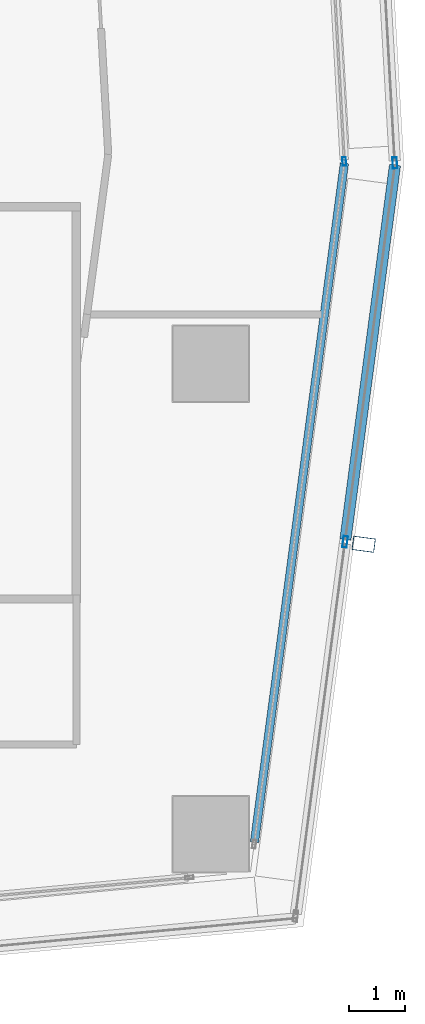
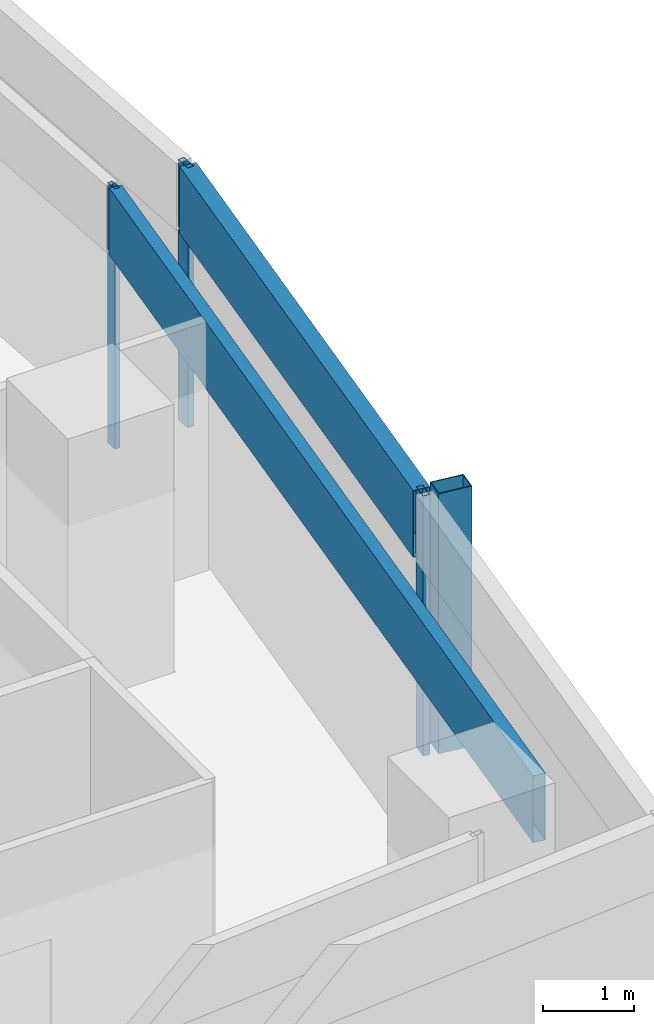
# One storey, part 13 of 38: 6 members, 4 elements without a shape of their own.
"""IFC4 building model written with IfcOpenShell, lengths in metres."""

from ifc_helpers import new_model, si_unit, direction, frame, origin, origin_2d, place, context, subcontext, project, spatial, hollow_rectangle, extrude, material, material_profile, profile_set, type_object, element, aggregate, save


model = new_model("IFC4")

# Units and contexts
model_context = context("Model", 3, precision=1e-05, world=origin(), true_north=direction((0.0, 1.0)))
body_context = subcontext(model_context, "Body", "Model", "MODEL_VIEW")
ifc_project = project(units=[si_unit("LENGTHUNIT", "METRE"), si_unit("AREAUNIT", "SQUARE_METRE"), si_unit("VOLUMEUNIT", "CUBIC_METRE"), si_unit("PLANEANGLEUNIT", "RADIAN"), si_unit("MASSUNIT", "GRAM", prefix="KILO")], contexts=[model_context])

# Site, building, storey
site_placement = place(None, origin())
site = spatial("IfcSite", under=ifc_project, at=site_placement, CompositionType="ELEMENT")
building_placement = place(site_placement, origin())
building = spatial("IfcBuilding", under=site, at=building_placement, Name="Rekha Terrace Tower", CompositionType="ELEMENT")
storey_placement = place(building_placement, frame((0.0, 0.0, 198.949951171875)))
storey = spatial("IfcBuildingStorey", under=building, at=storey_placement, Name="L50", CompositionType="ELEMENT", Elevation=198.949951171875)

# Curtain wall, member
ifc_material_1 = material(Name="Aluminium framing", Category="aluminium")
curtain_wall_type_1 = type_object("IfcCurtainWallType", Name="CW2 double skin outer glazing", PredefinedType="USERDEFINED", material=ifc_material_1)
curtain_wall_1_placement = place(storey_placement, origin())
curtain_wall_1 = element("IfcCurtainWall", 1, at=curtain_wall_1_placement, inside=storey, type_object=curtain_wall_type_1, Name="CW2 double skin outer glazing", ObjectType="DOUBLE SKIN OUTER GLAZING", PredefinedType="USERDEFINED")
ifc_material_2 = material(Name="Steel S355 with fluorocarbon finish", Category="steel")
ifc_material_profile_1 = material_profile(ifc_material_2, hollow_rectangle(XDim=0.25, YDim=0.39990234375, WallThickness=0.012451171875, at=origin_2d()), Name="RHS400x250x12.5")
ifc_profile_set_1 = profile_set([ifc_material_profile_1], Name="Steel S355 with fluorocarbon finish")
member_type_1 = type_object("IfcMemberType", Name="BL1 facade blade RHS 400 x 250", PredefinedType="USERDEFINED", material=ifc_profile_set_1)
member_1_placement = place(storey_placement, frame((61.531005859375, 21.977783203125, 0.0), z_axis=(0.0, 0.0, 1.0), x_axis=(0.131303100637, 0.991342269735, 0.0)))
member_1 = element("IfcMember", 2, at=member_1_placement, type_object=member_type_1, Name="Facade blade", ObjectType="FACADE BLADE", PredefinedType="USERDEFINED", context=body_context, shape_type="SweptSolid", body=[
    extrude(hollow_rectangle(XDim=0.25, YDim=0.39990234375, WallThickness=0.012451171875, at=origin_2d()), origin(), (0.0, 0.0, 1.0), 3.5),
])

curtain_wall_type_2 = type_object("IfcCurtainWallType", Name="CW1 double skin inner glazing", PredefinedType="USERDEFINED", material=ifc_material_1)
curtain_wall_2_placement = place(storey_placement, origin())
curtain_wall_2 = element("IfcCurtainWall", 3, at=curtain_wall_2_placement, inside=storey, type_object=curtain_wall_type_2, Name="CW1 double skin inner glazing", ObjectType="DOUBLE SKIN INNER GLAZING", PredefinedType="USERDEFINED")
ifc_material_3 = material(Name="Aluminium mullion section", Category="aluminium")
ifc_material_profile_2 = material_profile(ifc_material_3, hollow_rectangle(XDim=0.06494140625, YDim=0.14990234375, WallThickness=0.00390625, at=origin_2d()), Name="AL RHS 65x150")
ifc_profile_set_2 = profile_set([ifc_material_profile_2], Name="Aluminium mullion section")
member_type_2 = type_object("IfcMemberType", Name="CW1 mullion RHS 65 x 150", PredefinedType="MULLION", material=ifc_profile_set_2)
member_2_placement = place(storey_placement, frame((61.18408203125, 28.812255859375, 0.0), z_axis=(0.0, 0.0, 1.0), x_axis=(-0.998392782919, -0.05667319486, 0.0)))
member_2 = element("IfcMember", 4, at=member_2_placement, type_object=member_type_2, Name="CW1 mullion 1", PredefinedType="MULLION", context=body_context, shape_type="SweptSolid", body=[
    extrude(hollow_rectangle(XDim=0.06494140625, YDim=0.14990234375, WallThickness=0.00390625, at=origin_2d()), origin(), (0.0, 0.0, 1.0), 3.5),
])
aggregate(curtain_wall_2, [member_2])

curtain_wall_3_placement = place(storey_placement, origin())
curtain_wall_3 = element("IfcCurtainWall", 5, at=curtain_wall_3_placement, inside=storey, type_object=curtain_wall_type_2, Name="CW1 double skin inner glazing", ObjectType="DOUBLE SKIN INNER GLAZING", PredefinedType="USERDEFINED")
ifc_material_4 = material(Name="Insulated aluminium spandrel box", Category="aluminium")
ifc_material_profile_3 = material_profile(ifc_material_4, hollow_rectangle(XDim=0.14990234375, YDim=0.89990234375, WallThickness=0.0029296875, at=origin_2d()), Name="AL SPANDREL BOX 150x900")
ifc_profile_set_3 = profile_set([ifc_material_profile_3], Name="Insulated aluminium spandrel box")
member_type_3 = type_object("IfcMemberType", Name="CW1 spandrel transom 150 x 900", PredefinedType="USERDEFINED", material=ifc_profile_set_3)
member_3_placement = place(storey_placement, frame((59.580322265625, 16.656982421875, 3.050048828125), z_axis=(0.131307111352, 0.991341738508, 0.0), x_axis=(-0.991341738508, 0.131307111352, 0.0)))
member_3 = element("IfcMember", 6, at=member_3_placement, type_object=member_type_3, Name="CW1 spandrel transom 1", ObjectType="TRANSOM", PredefinedType="USERDEFINED", context=body_context, shape_type="SweptSolid", body=[
    extrude(hollow_rectangle(XDim=0.14990234375, YDim=0.89990234375, WallThickness=0.0029296875, at=origin_2d()), origin(), (0.0, 0.0, 1.0), 12.228759765625),
])
aggregate(curtain_wall_3, [member_3])

# Member
ifc_material_profile_4 = material_profile(ifc_material_3, hollow_rectangle(XDim=0.080078125, YDim=0.199951171875, WallThickness=0.00390625, at=origin_2d()), Name="AL RHS 80x200")
ifc_profile_set_4 = profile_set([ifc_material_profile_4], Name="Aluminium mullion section")
member_type_4 = type_object("IfcMemberType", Name="CW2 mullion RHS 80 x 200", PredefinedType="MULLION", material=ifc_profile_set_4)
member_4_placement = place(storey_placement, frame((61.19873046875, 22.021728515625, 0.0), z_axis=(0.0, 0.0, 1.0), x_axis=(-0.991342203187, 0.131303603075, 0.0)))
member_4 = element("IfcMember", 7, at=member_4_placement, type_object=member_type_4, Name="CW2 mullion 2", PredefinedType="MULLION", context=body_context, shape_type="SweptSolid", body=[
    extrude(hollow_rectangle(XDim=0.080078125, YDim=0.199951171875, WallThickness=0.00390625, at=origin_2d()), origin(), (0.0, 0.0, 1.0), 3.5),
])

# Curtain wall, member
curtain_wall_4_placement = place(storey_placement, origin())
curtain_wall_4 = element("IfcCurtainWall", 8, at=curtain_wall_4_placement, inside=storey, type_object=curtain_wall_type_1, Name="CW2 double skin outer glazing", ObjectType="DOUBLE SKIN OUTER GLAZING", PredefinedType="USERDEFINED")
member_5_placement = place(storey_placement, frame((62.087158203125, 28.785888671875, 0.0), z_axis=(0.0, 0.0, 1.0), x_axis=(-0.998392782919, -0.05667319486, 0.0)))
member_5 = element("IfcMember", 9, at=member_5_placement, type_object=member_type_4, Name="CW2 mullion 1", PredefinedType="MULLION", context=body_context, shape_type="SweptSolid", body=[
    extrude(hollow_rectangle(XDim=0.080078125, YDim=0.199951171875, WallThickness=0.00390625, at=origin_2d()), origin(), (0.0, 0.0, 1.0), 3.5),
])
aggregate(curtain_wall_4, [member_5])

# Member
ifc_material_profile_5 = material_profile(ifc_material_4, hollow_rectangle(XDim=0.199951171875, YDim=0.89990234375, WallThickness=0.0029296875, at=origin_2d()), Name="AL SPANDREL BOX 200x900")
ifc_profile_set_5 = profile_set([ifc_material_profile_5], Name="Insulated aluminium spandrel box")
member_type_5 = type_object("IfcMemberType", Name="CW2 spandrel transom 200 x 900", PredefinedType="USERDEFINED", material=ifc_profile_set_5)
member_6_placement = place(storey_placement, frame((61.2041015625, 22.0615234375, 3.050048828125), z_axis=(0.131286165193, 0.991344512684, 0.0), x_axis=(-0.991344512684, 0.131286165193, 0.0)))
member_6 = element("IfcMember", 10, at=member_6_placement, type_object=member_type_5, Name="CW2 spandrel transom 2", ObjectType="TRANSOM", PredefinedType="USERDEFINED", context=body_context, shape_type="SweptSolid", body=[
    extrude(hollow_rectangle(XDim=0.199951171875, YDim=0.89990234375, WallThickness=0.0029296875, at=origin_2d()), origin(), (0.0, 0.0, 1.0), 6.742919921875),
])

aggregate(curtain_wall_1, [member_4, member_6, member_1])

save(model, "model.ifc")
